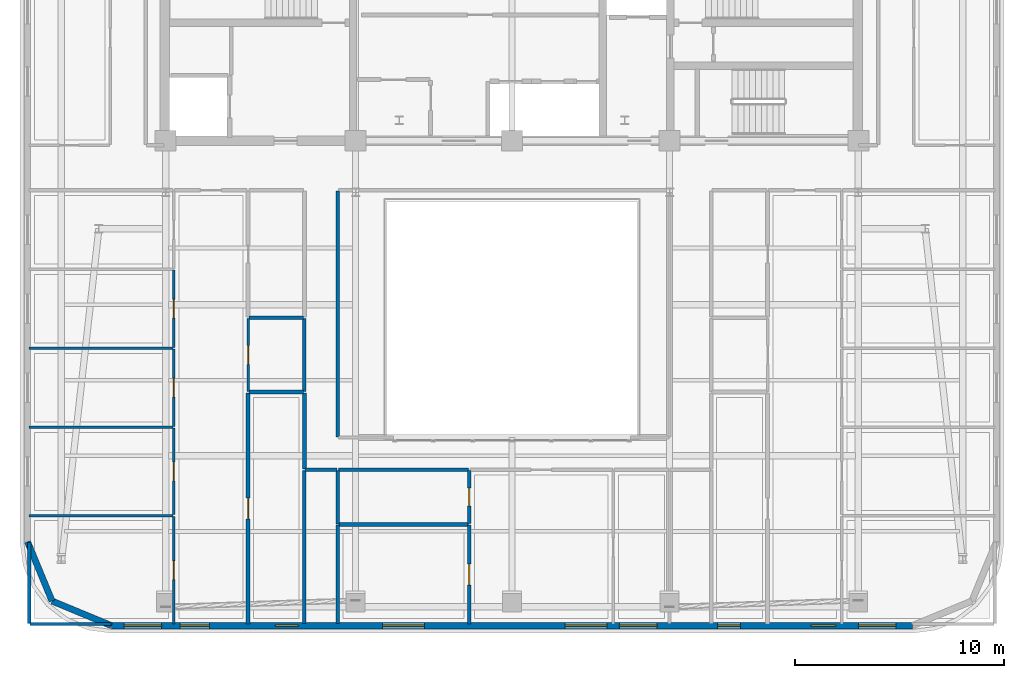
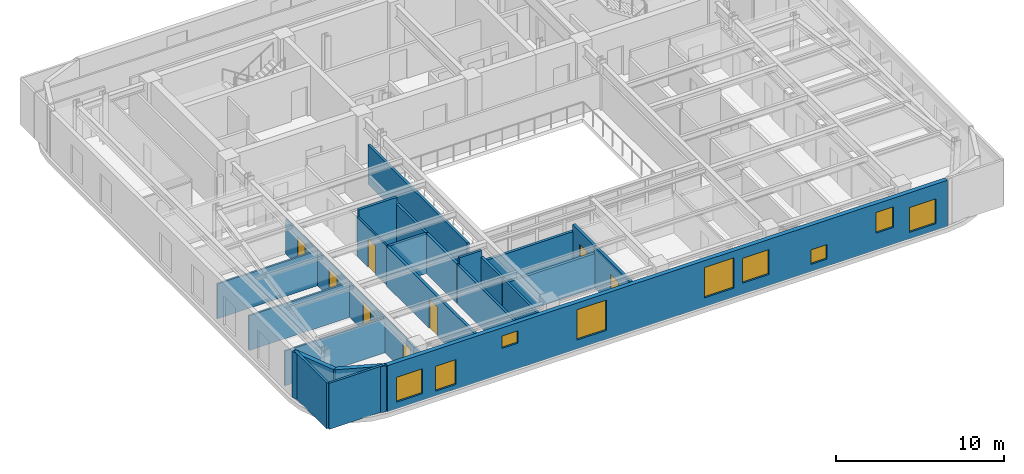
# One storey, part 6 of 14: 27 walls, 9 windows, 8 doors, 17 openings.
"""IFC4 building model written with IfcOpenShell, lengths in metres."""

from ifc_helpers import new_model, si_unit, direction, frame, frame_2d, origin, place, context, subcontext, project, spatial, rectangle, extrude, material, layer, layer_set, type_object, element, fill, save


model = new_model("IFC4")

# Units and contexts
model_context = context("Model", 3, precision=1e-05, world=origin(), true_north=direction((0.0, 1.0)))
body_context = subcontext(model_context, "Body", "Model", "MODEL_VIEW")
ifc_project = project(units=[si_unit("LENGTHUNIT", "METRE"), si_unit("AREAUNIT", "SQUARE_METRE"), si_unit("VOLUMEUNIT", "CUBIC_METRE"), si_unit("PLANEANGLEUNIT", "RADIAN"), si_unit("MASSUNIT", "GRAM", prefix="KILO")], contexts=[model_context])

# Site, building, storey
site_placement = place(None, origin())
site = spatial("IfcSite", under=ifc_project, at=site_placement, CompositionType="ELEMENT")
building_placement = place(site_placement, origin())
building = spatial("IfcBuilding", under=site, at=building_placement, Name="Zarnavel Station Tower", CompositionType="ELEMENT")
storey_placement = place(building_placement, frame((0.0, 0.0, 225.60009765625)))
storey = spatial("IfcBuildingStorey", under=building, at=storey_placement, Name="L61", CompositionType="ELEMENT", Elevation=225.60009765625)

# Walls
ifc_material_1 = material(Name="Precast concrete C45/55 (Dark Basalt Finish)", Category="masonry")
ifc_layer_1 = layer(ifc_material_1, 0.300048828125)
ifc_layer_set_1 = layer_set([ifc_layer_1], Name="EW_BASALT_300")
wall_type_1 = type_object("IfcWallType", Name="EW_BASALT_300", PredefinedType="SOLIDWALL", material=ifc_layer_set_1)
for number, where, z_axis, x_axis, name in (
    (1, (6.75732421875, 5.75732421875, 0.0), (0.0, 0.0, 1.0), (-0.382608747773, 0.923910464346, 0.0), "L61 Exterior Basalt Masonry Frame Wall 10"),
    (2, (9.60009765625, 4.580078125, 0.0), (0.0, 0.0, 1.0), (-0.923910464346, 0.382608747773, 0.0), "L61 Exterior Basalt Masonry Frame Wall 11"),
):
    element("IfcWall", number, at=place(storey_placement, frame(where, z_axis=z_axis, x_axis=x_axis)), inside=storey, type_object=wall_type_1, Name=name, PredefinedType="SOLIDWALL", context=body_context, shape_type="SweptSolid", body=[
        extrude(rectangle(XDim=3.076904296875, YDim=0.300048828125, at=frame_2d((1.53857421875, 0.0))), origin(), (0.0, 0.0, 1.0), 3.33984375),
    ])

# Wall, openings, windows
wall_1_placement = place(storey_placement, frame((48.0, 4.580078125, 0.0), z_axis=(0.0, 0.0, 1.0), x_axis=(-1.0, 0.0, 0.0)))
wall_1 = element("IfcWall", 3, at=wall_1_placement, inside=storey, type_object=wall_type_1, Name="L61 Exterior Basalt Masonry Frame Wall 12", PredefinedType="SOLIDWALL", context=body_context, shape_type="SweptSolid", body=[
    extrude(rectangle(XDim=38.39990234375, YDim=0.300048828125, at=frame_2d((19.199951171875, 0.0))), origin(), (0.0, 0.0, 1.0), 3.33984375),
])
opening_1_placement = place(wall_1_placement, frame((33.708984375, 0.0, 0.340087890625)))
opening_1 = element("IfcOpeningElement", 4, at=opening_1_placement, cuts=wall_1, Name="Opening WN01", PredefinedType="OPENING", context=body_context, shape_type="SweptSolid", body=[
    extrude(rectangle(XDim=1.39990234375, YDim=1.800048828125, at=frame_2d((0.699951171875, 0.89990234375))), frame((0.0, 0.159912109375, 0.0), z_axis=(0.0, -1.0, 0.0), x_axis=(1.0, 0.0, 0.0)), (0.0, 0.0, 1.0), 0.320068359375),
])
opening_2_placement = place(wall_1_placement, frame((29.449951171875, 0.0, 1.85009765625)))
opening_2 = element("IfcOpeningElement", 5, at=opening_2_placement, cuts=wall_1, Name="Opening WN10", PredefinedType="OPENING", context=body_context, shape_type="SweptSolid", body=[
    extrude(rectangle(XDim=1.10009765625, YDim=0.89990234375, at=frame_2d((0.550048828125, 0.449951171875))), frame((0.0, 0.159912109375, 0.0), z_axis=(0.0, -1.0, 0.0), x_axis=(1.0, 0.0, 0.0)), (0.0, 0.0, 1.0), 0.320068359375),
])
opening_3_placement = place(wall_1_placement, frame((35.994384765625, 0.0, 0.47998046875)))
opening_3 = element("IfcOpeningElement", 6, at=opening_3_placement, cuts=wall_1, Name="Opening WN02", PredefinedType="OPENING", context=body_context, shape_type="SweptSolid", body=[
    extrude(rectangle(XDim=1.800048828125, YDim=1.800048828125, at=frame_2d((0.89990234375, 0.89990234375))), frame((0.0, 0.159912109375, 0.0), z_axis=(0.0, -1.0, 0.0), x_axis=(1.0, 0.0, 0.0)), (0.0, 0.0, 1.0), 0.320068359375),
])
opening_4_placement = place(wall_1_placement, frame((14.64990234375, 0.0, 0.64990234375)))
opening_4 = element("IfcOpeningElement", 7, at=opening_4_placement, cuts=wall_1, Name="Opening WN07", PredefinedType="OPENING", context=body_context, shape_type="SweptSolid", body=[
    extrude(rectangle(XDim=2.0, YDim=2.199951171875, at=frame_2d((1.0, 1.10009765625))), frame((0.0, 0.159912109375, 0.0), z_axis=(0.0, -1.0, 0.0), x_axis=(1.0, 0.0, 0.0)), (0.0, 0.0, 1.0), 0.320068359375),
])
opening_5_placement = place(wall_1_placement, frame((23.39990234375, 0.0, 0.64990234375)))
opening_5 = element("IfcOpeningElement", 8, at=opening_5_placement, cuts=wall_1, Name="Opening WN07", PredefinedType="OPENING", context=body_context, shape_type="SweptSolid", body=[
    extrude(rectangle(XDim=2.0, YDim=2.199951171875, at=frame_2d((1.0, 1.10009765625))), frame((0.0, 0.159912109375, 0.0), z_axis=(0.0, -1.0, 0.0), x_axis=(1.0, 0.0, 0.0)), (0.0, 0.0, 1.0), 0.320068359375),
])
opening_6_placement = place(wall_1_placement, frame((12.25, 0.0, 0.800048828125)))
opening_6 = element("IfcOpeningElement", 9, at=opening_6_placement, cuts=wall_1, Name="Opening WN02", PredefinedType="OPENING", context=body_context, shape_type="SweptSolid", body=[
    extrude(rectangle(XDim=1.800048828125, YDim=1.800048828125, at=frame_2d((0.89990234375, 0.89990234375))), frame((0.0, 0.159912109375, 0.0), z_axis=(0.0, -1.0, 0.0), x_axis=(1.0, 0.0, 0.0)), (0.0, 0.0, 1.0), 0.320068359375),
])
opening_7_placement = place(wall_1_placement, frame((3.69091796875, 0.0, 1.219970703125)))
opening_7 = element("IfcOpeningElement", 10, at=opening_7_placement, cuts=wall_1, Name="Opening WN08", PredefinedType="OPENING", context=body_context, shape_type="SweptSolid", body=[
    extrude(rectangle(XDim=1.199951171875, YDim=1.5, at=frame_2d((0.60009765625, 0.75))), frame((0.0, 0.159912109375, 0.0), z_axis=(0.0, -1.0, 0.0), x_axis=(1.0, 0.0, 0.0)), (0.0, 0.0, 1.0), 0.320068359375),
])
opening_8_placement = place(wall_1_placement, frame((8.25, 0.0, 0.52001953125)))
opening_8 = element("IfcOpeningElement", 11, at=opening_8_placement, cuts=wall_1, Name="Opening WN09", PredefinedType="OPENING", context=body_context, shape_type="SweptSolid", body=[
    extrude(rectangle(XDim=1.10009765625, YDim=1.050048828125, at=frame_2d((0.550048828125, 0.52490234375))), frame((0.0, 0.159912109375, 0.0), z_axis=(0.0, -1.0, 0.0), x_axis=(1.0, 0.0, 0.0)), (0.0, 0.0, 1.0), 0.320068359375),
])
opening_9_placement = place(wall_1_placement, frame((0.805419921875, 0.0, 0.47998046875)))
opening_9 = element("IfcOpeningElement", 12, at=opening_9_placement, cuts=wall_1, Name="Opening WN02", PredefinedType="OPENING", context=body_context, shape_type="SweptSolid", body=[
    extrude(rectangle(XDim=1.800048828125, YDim=1.800048828125, at=frame_2d((0.89990234375, 0.89990234375))), frame((0.0, 0.159912109375, 0.0), z_axis=(0.0, -1.0, 0.0), x_axis=(1.0, 0.0, 0.0)), (0.0, 0.0, 1.0), 0.320068359375),
])
ifc_material_2 = material(Name="Thermally Broken Black Aluminium and Low-E Dark Glass", Category="aluminium")
window_type_1 = type_object("IfcWindowType", Name="WN_1100x0900", PartitioningType="SINGLE_PANEL", PredefinedType="WINDOW", material=ifc_material_2)
window_1_placement = place(opening_2_placement, origin())
window_1 = element("IfcWindow", 13, at=window_1_placement, inside=storey, type_object=window_type_1, Name="L61 Recessed Facade Window 02", OverallHeight=0.89990234375, OverallWidth=1.10009765625, PartitioningType="SINGLE_PANEL", PredefinedType="WINDOW", context=body_context, shape_type="SweptSolid", body=[
    extrude(rectangle(XDim=1.10009765625, YDim=0.89990234375, at=frame_2d((0.550048828125, 0.449951171875))), frame((0.0, 0.030029296875, 0.0), z_axis=(0.0, -1.0, 0.0), x_axis=(1.0, 0.0, 0.0)), (0.0, 0.0, 1.0), 0.06005859375),
])
fill(opening_2, window_1)
ifc_material_3 = material(Name="Thermally Broken Black Aluminium and Low-E Dark Glass", Category="aluminium")
window_type_2 = type_object("IfcWindowType", Name="WN_1100x1050", PartitioningType="SINGLE_PANEL", PredefinedType="WINDOW", material=ifc_material_3)
window_2_placement = place(opening_8_placement, origin())
window_2 = element("IfcWindow", 14, at=window_2_placement, inside=storey, type_object=window_type_2, Name="L61 Recessed Facade Window 08", OverallHeight=1.050048828125, OverallWidth=1.10009765625, PartitioningType="SINGLE_PANEL", PredefinedType="WINDOW", context=body_context, shape_type="SweptSolid", body=[
    extrude(rectangle(XDim=1.10009765625, YDim=1.050048828125, at=frame_2d((0.550048828125, 0.52490234375))), frame((0.0, 0.030029296875, 0.0), z_axis=(0.0, -1.0, 0.0), x_axis=(1.0, 0.0, 0.0)), (0.0, 0.0, 1.0), 0.06005859375),
])
fill(opening_8, window_2)
ifc_material_4 = material(Name="Thermally Broken Black Aluminium and Low-E Dark Glass", Category="aluminium")
window_type_3 = type_object("IfcWindowType", Name="WN_1200x1500", PartitioningType="SINGLE_PANEL", PredefinedType="WINDOW", material=ifc_material_4)
window_3_placement = place(opening_7_placement, origin())
window_3 = element("IfcWindow", 15, at=window_3_placement, inside=storey, type_object=window_type_3, Name="L61 Recessed Facade Window 07", OverallHeight=1.5, OverallWidth=1.199951171875, PartitioningType="SINGLE_PANEL", PredefinedType="WINDOW", context=body_context, shape_type="SweptSolid", body=[
    extrude(rectangle(XDim=1.199951171875, YDim=1.5, at=frame_2d((0.60009765625, 0.75))), frame((0.0, 0.030029296875, 0.0), z_axis=(0.0, -1.0, 0.0), x_axis=(1.0, 0.0, 0.0)), (0.0, 0.0, 1.0), 0.06005859375),
])
fill(opening_7, window_3)
ifc_material_5 = material(Name="Thermally Broken Black Aluminium and Low-E Dark Glass", Category="aluminium")
window_type_4 = type_object("IfcWindowType", Name="WN_1400x1800", PartitioningType="DOUBLE_PANEL_VERTICAL", PredefinedType="WINDOW", material=ifc_material_5)
window_4_placement = place(opening_1_placement, origin())
window_4 = element("IfcWindow", 16, at=window_4_placement, inside=storey, type_object=window_type_4, Name="L61 Recessed Facade Window 01", OverallHeight=1.800048828125, OverallWidth=1.39990234375, PartitioningType="SINGLE_PANEL", PredefinedType="WINDOW", context=body_context, shape_type="SweptSolid", body=[
    extrude(rectangle(XDim=1.39990234375, YDim=1.800048828125, at=frame_2d((0.699951171875, 0.89990234375))), frame((0.0, 0.030029296875, 0.0), z_axis=(0.0, -1.0, 0.0), x_axis=(1.0, 0.0, 0.0)), (0.0, 0.0, 1.0), 0.06005859375),
])
fill(opening_1, window_4)
ifc_material_6 = material(Name="Thermally Broken Black Aluminium and Low-E Dark Glass", Category="aluminium")
window_type_5 = type_object("IfcWindowType", Name="WN_1800x1800", PartitioningType="DOUBLE_PANEL_VERTICAL", PredefinedType="WINDOW", material=ifc_material_6)
window_5_placement = place(opening_3_placement, origin())
window_5 = element("IfcWindow", 17, at=window_5_placement, inside=storey, type_object=window_type_5, Name="L61 Recessed Facade Window 03", OverallHeight=1.800048828125, OverallWidth=1.800048828125, PartitioningType="SINGLE_PANEL", PredefinedType="WINDOW", context=body_context, shape_type="SweptSolid", body=[
    extrude(rectangle(XDim=1.800048828125, YDim=1.800048828125, at=frame_2d((0.89990234375, 0.89990234375))), frame((0.0, 0.030029296875, 0.0), z_axis=(0.0, -1.0, 0.0), x_axis=(1.0, 0.0, 0.0)), (0.0, 0.0, 1.0), 0.06005859375),
])
fill(opening_3, window_5)
window_6_placement = place(opening_6_placement, origin())
window_6 = element("IfcWindow", 18, at=window_6_placement, inside=storey, type_object=window_type_5, Name="L61 Recessed Facade Window 06", OverallHeight=1.800048828125, OverallWidth=1.800048828125, PartitioningType="SINGLE_PANEL", PredefinedType="WINDOW", context=body_context, shape_type="SweptSolid", body=[
    extrude(rectangle(XDim=1.800048828125, YDim=1.800048828125, at=frame_2d((0.89990234375, 0.89990234375))), frame((0.0, 0.030029296875, 0.0), z_axis=(0.0, -1.0, 0.0), x_axis=(1.0, 0.0, 0.0)), (0.0, 0.0, 1.0), 0.06005859375),
])
fill(opening_6, window_6)
window_7_placement = place(opening_9_placement, origin())
window_7 = element("IfcWindow", 19, at=window_7_placement, inside=storey, type_object=window_type_5, Name="L61 Recessed Facade Window 09", OverallHeight=1.800048828125, OverallWidth=1.800048828125, PartitioningType="SINGLE_PANEL", PredefinedType="WINDOW", context=body_context, shape_type="SweptSolid", body=[
    extrude(rectangle(XDim=1.800048828125, YDim=1.800048828125, at=frame_2d((0.89990234375, 0.89990234375))), frame((0.0, 0.030029296875, 0.0), z_axis=(0.0, -1.0, 0.0), x_axis=(1.0, 0.0, 0.0)), (0.0, 0.0, 1.0), 0.06005859375),
])
fill(opening_9, window_7)
ifc_material_7 = material(Name="Thermally Broken Black Aluminium and Low-E Dark Glass", Category="aluminium")
window_type_6 = type_object("IfcWindowType", Name="WN_2000x2200", PartitioningType="TRIPLE_PANEL_VERTICAL", PredefinedType="WINDOW", material=ifc_material_7)
window_8_placement = place(opening_4_placement, origin())
window_8 = element("IfcWindow", 20, at=window_8_placement, inside=storey, type_object=window_type_6, Name="L61 Recessed Facade Window 04", OverallHeight=2.199951171875, OverallWidth=2.0, PartitioningType="SINGLE_PANEL", PredefinedType="WINDOW", context=body_context, shape_type="SweptSolid", body=[
    extrude(rectangle(XDim=2.0, YDim=2.199951171875, at=frame_2d((1.0, 1.10009765625))), frame((0.0, 0.030029296875, 0.0), z_axis=(0.0, -1.0, 0.0), x_axis=(1.0, 0.0, 0.0)), (0.0, 0.0, 1.0), 0.06005859375),
])
fill(opening_4, window_8)
window_9_placement = place(opening_5_placement, origin())
window_9 = element("IfcWindow", 21, at=window_9_placement, inside=storey, type_object=window_type_6, Name="L61 Recessed Facade Window 05", OverallHeight=2.199951171875, OverallWidth=2.0, PartitioningType="SINGLE_PANEL", PredefinedType="WINDOW", context=body_context, shape_type="SweptSolid", body=[
    extrude(rectangle(XDim=2.0, YDim=2.199951171875, at=frame_2d((1.0, 1.10009765625))), frame((0.0, 0.030029296875, 0.0), z_axis=(0.0, -1.0, 0.0), x_axis=(1.0, 0.0, 0.0)), (0.0, 0.0, 1.0), 0.06005859375),
])
fill(opening_5, window_9)

# Walls
ifc_material_8 = material(Name="Gypsum Twin-Stud Acoustic Fire Partition", Category="concrete")
ifc_layer_2 = layer(ifc_material_8, 0.159912109375)
ifc_layer_set_2 = layer_set([ifc_layer_2], Name="PT_DEMISE_160")
wall_type_2 = type_object("IfcWallType", Name="PT_DEMISE_160", PredefinedType="PARTITIONING", material=ifc_layer_set_2)
wall_2_placement = place(storey_placement, frame((18.85009765625, 15.81103515625, 0.0), z_axis=(0.0, 0.0, 1.0), x_axis=(0.0, 1.0, 0.0)))
element("IfcWall", 22, at=wall_2_placement, inside=storey, type_object=wall_type_2, Name="L61 Partition COR-AW-UW1UT", PredefinedType="PARTITIONING", context=body_context, shape_type="SweptSolid", body=[
    extrude(rectangle(XDim=3.488037109375, YDim=0.159912109375, at=frame_2d((1.744140625, 0.0))), origin(), (0.0, 0.0, 1.0), 2.869873046875),
])
wall_3_placement = place(storey_placement, frame((18.8798828125, 12.050048828125, 0.0), z_axis=(0.0, 0.0, 1.0), x_axis=(1.0, 0.0, 0.0)))
element("IfcWall", 23, at=wall_3_placement, inside=storey, type_object=wall_type_2, Name="L61 Enclosure Wall COR-AW", PredefinedType="PARTITIONING", context=body_context, shape_type="SweptSolid", body=[
    extrude(rectangle(XDim=1.5400390625, YDim=0.159912109375, at=frame_2d((0.77001953125, 0.0))), origin(), (0.0, 0.0, 1.0), 3.33984375),
])
wall_4_placement = place(storey_placement, frame((20.449951171875, 13.6298828125, 0.0), z_axis=(0.0, 0.0, 1.0), x_axis=(0.0, 1.0, 0.0)))
element("IfcWall", 24, at=wall_4_placement, inside=storey, type_object=wall_type_2, Name="L61 Enclosure Wall COR-AW", PredefinedType="PARTITIONING", context=body_context, shape_type="SweptSolid", body=[
    extrude(rectangle(XDim=11.7900390625, YDim=0.159912109375, at=frame_2d((5.89501953125, 0.0))), origin(), (0.0, 0.0, 1.0), 2.869873046875),
])
wall_5_placement = place(storey_placement, frame((18.85009765625, 4.68994140625, 0.0), z_axis=(0.0, 0.0, 1.0), x_axis=(0.0, 1.0, 0.0)))
element("IfcWall", 25, at=wall_5_placement, inside=storey, type_object=wall_type_2, Name="L61 Enclosure Wall UW1KT", PredefinedType="PARTITIONING", context=body_context, shape_type="SweptSolid", body=[
    extrude(rectangle(XDim=7.330078125, YDim=0.159912109375, at=frame_2d((3.6650390625, 0.0))), origin(), (0.0, 0.0, 1.0), 2.869873046875),
])
for number, where, z_axis, x_axis, name in (
    (26, (5.68994140625, 4.659912109375, 0.0), (0.0, 0.0, 1.0), (1.0, 0.0, 0.0), "L61 Enclosure Wall UW1B1"),
    (27, (5.659912109375, 4.68994140625, 0.0), (0.0, 0.0, 1.0), (0.0, 1.0, 0.0), "L61 Enclosure Wall UW1B1"),
):
    element("IfcWall", number, at=place(storey_placement, frame(where, z_axis=z_axis, x_axis=x_axis)), inside=storey, type_object=wall_type_2, Name=name, PredefinedType="PARTITIONING", context=body_context, shape_type="SweptSolid", body=[
        extrude(rectangle(XDim=3.880126953125, YDim=0.159912109375, at=frame_2d((1.93994140625, 0.0))), origin(), (0.0, 0.0, 1.0), 3.33984375),
    ])
wall_6_placement = place(storey_placement, frame((20.449951171875, 4.68994140625, 0.0), z_axis=(0.0, 0.0, 1.0), x_axis=(0.0, 1.0, 0.0)))
element("IfcWall", 28, at=wall_6_placement, inside=storey, type_object=wall_type_2, Name="L61 Enclosure Wall US1KT", PredefinedType="PARTITIONING", context=body_context, shape_type="SweptSolid", body=[
    extrude(rectangle(XDim=4.7109375, YDim=0.159912109375, at=frame_2d((2.35546875, 0.0))), origin(), (0.0, 0.0, 1.0), 2.869873046875),
])
wall_7_placement = place(storey_placement, frame((20.449951171875, 9.4609375, 0.0), z_axis=(0.0, 0.0, 1.0), x_axis=(0.0, 1.0, 0.0)))
element("IfcWall", 29, at=wall_7_placement, inside=storey, type_object=wall_type_2, Name="L61 Enclosure Wall US1BA", PredefinedType="PARTITIONING", context=body_context, shape_type="SweptSolid", body=[
    extrude(rectangle(XDim=2.55908203125, YDim=0.159912109375, at=frame_2d((1.279541015625, 0.0))), origin(), (0.0, 0.0, 1.0), 2.869873046875),
])

# Wall, opening, door
ifc_material_9 = material(Name="Gypsum Metal-Stud Interior Partition", Category="concrete")
ifc_layer_3 = layer(ifc_material_9, 0.1201171875)
ifc_layer_set_3 = layer_set([ifc_layer_3], Name="PT_ROOM_120")
wall_type_3 = type_object("IfcWallType", Name="PT_ROOM_120", PredefinedType="PARTITIONING", material=ifc_layer_set_3)
wall_8_placement = place(storey_placement, frame((16.14990234375, 15.81103515625, 0.0), z_axis=(0.0, 0.0, 1.0), x_axis=(0.0, 1.0, 0.0)))
wall_8 = element("IfcWall", 30, at=wall_8_placement, inside=storey, type_object=wall_type_3, Name="L61 Partition UW1LV-UW1UT", PredefinedType="PARTITIONING", context=body_context, shape_type="SweptSolid", body=[
    extrude(rectangle(XDim=3.488037109375, YDim=0.1201171875, at=frame_2d((1.744140625, 0.0))), origin(), (0.0, 0.0, 1.0), 2.869873046875),
])
opening_10_placement = place(wall_8_placement, frame((1.2939453125, 0.0, 0.0)))
opening_10 = element("IfcOpeningElement", 31, at=opening_10_placement, cuts=wall_8, Name="Opening ID01", PredefinedType="OPENING", context=body_context, shape_type="SweptSolid", body=[
    extrude(rectangle(XDim=0.89990234375, YDim=2.10009765625, at=frame_2d((0.449951171875, 1.050048828125))), frame((0.0, 0.070068359375, 0.0), z_axis=(0.0, -1.0, 0.0), x_axis=(1.0, 0.0, 0.0)), (0.0, 0.0, 1.0), 0.14013671875),
])
ifc_material_10 = material(Name="Painted Galvanised Steel and Hardwood Leaf", Category="steel")
door_type_1 = type_object("IfcDoorType", Name="ID_ROOM_900", OperationType="NOTDEFINED", PredefinedType="DOOR", material=ifc_material_10)
door_1_placement = place(opening_10_placement, origin())
door_1 = element("IfcDoor", 32, at=door_1_placement, inside=storey, type_object=door_type_1, Name="L61 Door UW1LV-UW1UT", OperationType="SINGLE_SWING_RIGHT", OverallHeight=2.10009765625, OverallWidth=0.89990234375, PredefinedType="DOOR", context=body_context, shape_type="SweptSolid", body=[
    extrude(rectangle(XDim=0.89990234375, YDim=2.10009765625, at=frame_2d((0.449951171875, 1.050048828125))), frame((0.0, 0.02490234375, 0.0), z_axis=(0.0, -1.0, 0.0), x_axis=(1.0, 0.0, 0.0)), (0.0, 0.0, 1.0), 0.050048828125),
])
fill(opening_10, door_1)

wall_9_placement = place(storey_placement, frame((12.591064453125, 4.659912109375, 0.0), z_axis=(0.0, 0.0, 1.0), x_axis=(0.0, 1.0, 0.0)))
wall_9 = element("IfcWall", 33, at=wall_9_placement, inside=storey, type_object=wall_type_3, Name="L61 Partition UW1LV-UW1B1", PredefinedType="PARTITIONING", context=body_context, shape_type="SweptSolid", body=[
    extrude(rectangle(XDim=5.156982421875, YDim=0.1201171875, at=frame_2d((2.57861328125, 0.0))), origin(), (0.0, 0.0, 1.0), 2.52001953125),
])
opening_11_placement = place(wall_9_placement, frame((2.12841796875, 0.0, 0.0)))
opening_11 = element("IfcOpeningElement", 34, at=opening_11_placement, cuts=wall_9, Name="Opening ID01", PredefinedType="OPENING", context=body_context, shape_type="SweptSolid", body=[
    extrude(rectangle(XDim=0.89990234375, YDim=2.10009765625, at=frame_2d((0.449951171875, 1.050048828125))), frame((0.0, 0.070068359375, 0.0), z_axis=(0.0, -1.0, 0.0), x_axis=(1.0, 0.0, 0.0)), (0.0, 0.0, 1.0), 0.14013671875),
])
door_2_placement = place(opening_11_placement, origin())
door_2 = element("IfcDoor", 35, at=door_2_placement, inside=storey, type_object=door_type_1, Name="L61 Door UW1LV-UW1B1", OperationType="SINGLE_SWING_RIGHT", OverallHeight=2.10009765625, OverallWidth=0.89990234375, PredefinedType="DOOR", context=body_context, shape_type="SweptSolid", body=[
    extrude(rectangle(XDim=0.89990234375, YDim=2.10009765625, at=frame_2d((0.449951171875, 1.050048828125))), frame((0.0, 0.02490234375, 0.0), z_axis=(0.0, -1.0, 0.0), x_axis=(1.0, 0.0, 0.0)), (0.0, 0.0, 1.0), 0.050048828125),
])
fill(opening_11, door_2)

wall_10_placement = place(storey_placement, frame((12.591064453125, 9.89697265625, 0.0), z_axis=(0.0, 0.0, 1.0), x_axis=(0.0, 1.0, 0.0)))
wall_10 = element("IfcWall", 36, at=wall_10_placement, inside=storey, type_object=wall_type_3, Name="L61 Partition UW1LV-UW1B2", PredefinedType="PARTITIONING", context=body_context, shape_type="SweptSolid", body=[
    extrude(rectangle(XDim=4.14794921875, YDim=0.1201171875, at=frame_2d((2.073974609375, 0.0))), origin(), (0.0, 0.0, 1.0), 2.52001953125),
])
opening_12_placement = place(wall_10_placement, frame((1.6240234375, 0.0, 0.0)))
opening_12 = element("IfcOpeningElement", 37, at=opening_12_placement, cuts=wall_10, Name="Opening ID01", PredefinedType="OPENING", context=body_context, shape_type="SweptSolid", body=[
    extrude(rectangle(XDim=0.89990234375, YDim=2.10009765625, at=frame_2d((0.449951171875, 1.050048828125))), frame((0.0, 0.070068359375, 0.0), z_axis=(0.0, -1.0, 0.0), x_axis=(1.0, 0.0, 0.0)), (0.0, 0.0, 1.0), 0.14013671875),
])
door_3_placement = place(opening_12_placement, origin())
door_3 = element("IfcDoor", 38, at=door_3_placement, inside=storey, type_object=door_type_1, Name="L61 Door UW1LV-UW1B2", OperationType="SINGLE_SWING_LEFT", OverallHeight=2.10009765625, OverallWidth=0.89990234375, PredefinedType="DOOR", context=body_context, shape_type="SweptSolid", body=[
    extrude(rectangle(XDim=0.89990234375, YDim=2.10009765625, at=frame_2d((0.449951171875, 1.050048828125))), frame((0.0, 0.02490234375, 0.0), z_axis=(0.0, -1.0, 0.0), x_axis=(1.0, 0.0, 0.0)), (0.0, 0.0, 1.0), 0.050048828125),
])
fill(opening_12, door_3)

wall_11_placement = place(storey_placement, frame((12.591064453125, 14.125, 0.0), z_axis=(0.0, 0.0, 1.0), x_axis=(0.0, 1.0, 0.0)))
wall_11 = element("IfcWall", 39, at=wall_11_placement, inside=storey, type_object=wall_type_3, Name="L61 Partition UW1LV-UW1B3", PredefinedType="PARTITIONING", context=body_context, shape_type="SweptSolid", body=[
    extrude(rectangle(XDim=3.7080078125, YDim=0.1201171875, at=frame_2d((1.85400390625, 0.0))), origin(), (0.0, 0.0, 1.0), 2.52001953125),
])
opening_13_placement = place(wall_11_placement, frame((1.404052734375, 0.0, 0.0)))
opening_13 = element("IfcOpeningElement", 40, at=opening_13_placement, cuts=wall_11, Name="Opening ID01", PredefinedType="OPENING", context=body_context, shape_type="SweptSolid", body=[
    extrude(rectangle(XDim=0.89990234375, YDim=2.10009765625, at=frame_2d((0.449951171875, 1.050048828125))), frame((0.0, 0.070068359375, 0.0), z_axis=(0.0, -1.0, 0.0), x_axis=(1.0, 0.0, 0.0)), (0.0, 0.0, 1.0), 0.14013671875),
])
door_4_placement = place(opening_13_placement, origin())
door_4 = element("IfcDoor", 41, at=door_4_placement, inside=storey, type_object=door_type_1, Name="L61 Door UW1LV-UW1B3", OperationType="SINGLE_SWING_RIGHT", OverallHeight=2.10009765625, OverallWidth=0.89990234375, PredefinedType="DOOR", context=body_context, shape_type="SweptSolid", body=[
    extrude(rectangle(XDim=0.89990234375, YDim=2.10009765625, at=frame_2d((0.449951171875, 1.050048828125))), frame((0.0, 0.02490234375, 0.0), z_axis=(0.0, -1.0, 0.0), x_axis=(1.0, 0.0, 0.0)), (0.0, 0.0, 1.0), 0.050048828125),
])
fill(opening_13, door_4)

wall_12_placement = place(storey_placement, frame((12.591064453125, 17.9130859375, 0.0), z_axis=(0.0, 0.0, 1.0), x_axis=(0.0, 1.0, 0.0)))
wall_12 = element("IfcWall", 42, at=wall_12_placement, inside=storey, type_object=wall_type_3, Name="L61 Partition UW1LV-UW1B4", PredefinedType="PARTITIONING", context=body_context, shape_type="SweptSolid", body=[
    extrude(rectangle(XDim=3.7080078125, YDim=0.1201171875, at=frame_2d((1.85400390625, 0.0))), origin(), (0.0, 0.0, 1.0), 2.52001953125),
])
opening_14_placement = place(wall_12_placement, frame((1.404052734375, 0.0, 0.0)))
opening_14 = element("IfcOpeningElement", 43, at=opening_14_placement, cuts=wall_12, Name="Opening ID01", PredefinedType="OPENING", context=body_context, shape_type="SweptSolid", body=[
    extrude(rectangle(XDim=0.89990234375, YDim=2.10009765625, at=frame_2d((0.449951171875, 1.050048828125))), frame((0.0, 0.070068359375, 0.0), z_axis=(0.0, -1.0, 0.0), x_axis=(1.0, 0.0, 0.0)), (0.0, 0.0, 1.0), 0.14013671875),
])
door_5_placement = place(opening_14_placement, origin())
door_5 = element("IfcDoor", 44, at=door_5_placement, inside=storey, type_object=door_type_1, Name="L61 Door UW1LV-UW1B4", OperationType="SINGLE_SWING_LEFT", OverallHeight=2.10009765625, OverallWidth=0.89990234375, PredefinedType="DOOR", context=body_context, shape_type="SweptSolid", body=[
    extrude(rectangle(XDim=0.89990234375, YDim=2.10009765625, at=frame_2d((0.449951171875, 1.050048828125))), frame((0.0, 0.02490234375, 0.0), z_axis=(0.0, -1.0, 0.0), x_axis=(1.0, 0.0, 0.0)), (0.0, 0.0, 1.0), 0.050048828125),
])
fill(opening_14, door_5)

# Walls
for number, where, z_axis, x_axis, name in (
    (45, (5.659912109375, 9.85693359375, 0.0), (0.0, 0.0, 1.0), (1.0, 0.0, 0.0), "L61 Partition UW1B1-UW1B2"),
    (46, (5.659912109375, 14.0849609375, 0.0), (0.0, 0.0, 1.0), (1.0, 0.0, 0.0), "L61 Partition UW1B2-UW1B3"),
    (47, (5.659912109375, 17.873046875, 0.0), (0.0, 0.0, 1.0), (1.0, 0.0, 0.0), "L61 Partition UW1B3-UW1B4"),
):
    element("IfcWall", number, at=place(storey_placement, frame(where, z_axis=z_axis, x_axis=x_axis)), inside=storey, type_object=wall_type_3, Name=name, PredefinedType="PARTITIONING", context=body_context, shape_type="SweptSolid", body=[
        extrude(rectangle(XDim=6.89111328125, YDim=0.1201171875, at=frame_2d((3.445556640625, 0.0))), origin(), (0.0, 0.0, 1.0), 2.52001953125),
    ])
ifc_material_11 = material(Name="Moisture-Resistant Plumbing Chase Wall", Category="concrete")
ifc_layer_4 = layer(ifc_material_11, 0.179931640625)
ifc_layer_set_4 = layer_set([ifc_layer_4], Name="PW_PLUMB_180")
wall_type_4 = type_object("IfcWallType", Name="PW_PLUMB_180", PredefinedType="PLUMBINGWALL", material=ifc_layer_set_4)
wall_13_placement = place(storey_placement, frame((18.85009765625, 12.090087890625, 0.0), z_axis=(0.0, 0.0, 1.0), x_axis=(0.0, 1.0, 0.0)))
element("IfcWall", 48, at=wall_13_placement, inside=storey, type_object=wall_type_4, Name="L61 Partition COR-AW-UW1KT", PredefinedType="PLUMBINGWALL", context=body_context, shape_type="SweptSolid", body=[
    extrude(rectangle(XDim=3.640869140625, YDim=0.179931640625, at=frame_2d((1.8203125, 0.0))), origin(), (0.0, 0.0, 1.0), 2.8798828125),
])
wall_14_placement = place(storey_placement, frame((20.489990234375, 12.050048828125, 0.0), z_axis=(0.0, 0.0, 1.0), x_axis=(1.0, 0.0, 0.0)))
element("IfcWall", 49, at=wall_14_placement, inside=storey, type_object=wall_type_4, Name="L61 Partition COR-AS-US1BA", PredefinedType="PLUMBINGWALL", context=body_context, shape_type="SweptSolid", body=[
    extrude(rectangle(XDim=6.219970703125, YDim=0.179931640625, at=frame_2d((3.10986328125, 0.0))), origin(), (0.0, 0.0, 1.0), 2.52001953125),
])

# Wall, opening, door
wall_15_placement = place(storey_placement, frame((16.14990234375, 4.659912109375, 0.0), z_axis=(0.0, 0.0, 1.0), x_axis=(0.0, 1.0, 0.0)))
wall_15 = element("IfcWall", 50, at=wall_15_placement, inside=storey, type_object=wall_type_4, Name="L61 Partition UW1LV-UW1KT", PredefinedType="PLUMBINGWALL", context=body_context, shape_type="SweptSolid", body=[
    extrude(rectangle(XDim=11.071044921875, YDim=0.179931640625, at=frame_2d((5.53564453125, 0.0))), origin(), (0.0, 0.0, 1.0), 2.869873046875),
])
opening_15_placement = place(wall_15_placement, frame((5.035400390625, 0.0, 0.0)))
opening_15 = element("IfcOpeningElement", 51, at=opening_15_placement, cuts=wall_15, Name="Opening FD02", PredefinedType="OPENING", context=body_context, shape_type="SweptSolid", body=[
    extrude(rectangle(XDim=1.0, YDim=2.14990234375, at=frame_2d((0.5, 1.074951171875))), frame((0.0, 0.099853515625, 0.0), z_axis=(0.0, -1.0, 0.0), x_axis=(1.0, 0.0, 0.0)), (0.0, 0.0, 1.0), 0.199951171875),
])
ifc_material_12 = material(Name="Painted Galvanised Steel and Hardwood Leaf", Category="steel")
door_type_2 = type_object("IfcDoorType", Name="ID_ENTRY_1000", OperationType="NOTDEFINED", PredefinedType="DOOR", material=ifc_material_12)
door_6_placement = place(opening_15_placement, origin())
door_6 = element("IfcDoor", 52, at=door_6_placement, inside=storey, type_object=door_type_2, Name="L61 Door UW1LV-UW1KT", OperationType="SINGLE_SWING_LEFT", OverallHeight=2.14990234375, OverallWidth=1.0, PredefinedType="DOOR", context=body_context, shape_type="SweptSolid", body=[
    extrude(rectangle(XDim=1.0, YDim=2.14990234375, at=frame_2d((0.5, 1.074951171875))), frame((0.0, 0.02490234375, 0.0), z_axis=(0.0, -1.0, 0.0), x_axis=(1.0, 0.0, 0.0)), (0.0, 0.0, 1.0), 0.050048828125),
])
fill(opening_15, door_6)

# Walls
wall_16_placement = place(storey_placement, frame((16.18994140625, 15.77099609375, 0.0), z_axis=(0.0, 0.0, 1.0), x_axis=(1.0, 0.0, 0.0)))
element("IfcWall", 53, at=wall_16_placement, inside=storey, type_object=wall_type_4, Name="L61 Partition UW1KT-UW1UT", PredefinedType="PLUMBINGWALL", context=body_context, shape_type="SweptSolid", body=[
    extrude(rectangle(XDim=2.6201171875, YDim=0.179931640625, at=frame_2d((1.31005859375, 0.0))), origin(), (0.0, 0.0, 1.0), 2.869873046875),
])
wall_17_placement = place(storey_placement, frame((16.18994140625, 19.339111328125, 0.0), z_axis=(0.0, 0.0, 1.0), x_axis=(1.0, 0.0, 0.0)))
element("IfcWall", 54, at=wall_17_placement, inside=storey, type_object=wall_type_4, Name="L61 Partition UW1UT-UW1BA", PredefinedType="PLUMBINGWALL", context=body_context, shape_type="SweptSolid", body=[
    extrude(rectangle(XDim=2.6201171875, YDim=0.179931640625, at=frame_2d((1.31005859375, 0.0))), origin(), (0.0, 0.0, 1.0), 3.33984375),
])

# Wall, opening, door
wall_18_placement = place(storey_placement, frame((26.75, 4.659912109375, 0.0), z_axis=(0.0, 0.0, 1.0), x_axis=(0.0, 1.0, 0.0)))
wall_18 = element("IfcWall", 55, at=wall_18_placement, inside=storey, type_object=wall_type_4, Name="L61 Partition US1LV-US1KT", PredefinedType="PLUMBINGWALL", context=body_context, shape_type="SweptSolid", body=[
    extrude(rectangle(XDim=4.731201171875, YDim=0.179931640625, at=frame_2d((2.36572265625, 0.0))), origin(), (0.0, 0.0, 1.0), 3.0),
])
opening_16_placement = place(wall_18_placement, frame((1.865478515625, 0.0, 0.0)))
opening_16 = element("IfcOpeningElement", 56, at=opening_16_placement, cuts=wall_18, Name="Opening FD02", PredefinedType="OPENING", context=body_context, shape_type="SweptSolid", body=[
    extrude(rectangle(XDim=1.0, YDim=2.14990234375, at=frame_2d((0.5, 1.074951171875))), frame((0.0, 0.099853515625, 0.0), z_axis=(0.0, -1.0, 0.0), x_axis=(1.0, 0.0, 0.0)), (0.0, 0.0, 1.0), 0.199951171875),
])
door_7_placement = place(opening_16_placement, origin())
door_7 = element("IfcDoor", 57, at=door_7_placement, inside=storey, type_object=door_type_2, Name="L61 Door US1LV-US1KT", OperationType="SINGLE_SWING_LEFT", OverallHeight=2.14990234375, OverallWidth=1.0, PredefinedType="DOOR", context=body_context, shape_type="SweptSolid", body=[
    extrude(rectangle(XDim=1.0, YDim=2.14990234375, at=frame_2d((0.5, 1.074951171875))), frame((0.0, 0.02490234375, 0.0), z_axis=(0.0, -1.0, 0.0), x_axis=(1.0, 0.0, 0.0)), (0.0, 0.0, 1.0), 0.050048828125),
])
fill(opening_16, door_7)

wall_19_placement = place(storey_placement, frame((26.75, 9.470947265625, 0.0), z_axis=(0.0, 0.0, 1.0), x_axis=(0.0, 1.0, 0.0)))
wall_19 = element("IfcWall", 58, at=wall_19_placement, inside=storey, type_object=wall_type_4, Name="L61 Partition US1LV-US1BA", PredefinedType="PLUMBINGWALL", context=body_context, shape_type="SweptSolid", body=[
    extrude(rectangle(XDim=2.5390625, YDim=0.179931640625, at=frame_2d((1.26953125, 0.0))), origin(), (0.0, 0.0, 1.0), 3.02001953125),
])
opening_17_placement = place(wall_19_placement, frame((0.844482421875, 0.0, 0.0)))
opening_17 = element("IfcOpeningElement", 59, at=opening_17_placement, cuts=wall_19, Name="Opening ID02", PredefinedType="OPENING", context=body_context, shape_type="SweptSolid", body=[
    extrude(rectangle(XDim=0.85009765625, YDim=2.10009765625, at=frame_2d((0.425048828125, 1.050048828125))), frame((0.0, 0.099853515625, 0.0), z_axis=(0.0, -1.0, 0.0), x_axis=(1.0, 0.0, 0.0)), (0.0, 0.0, 1.0), 0.199951171875),
])
ifc_material_13 = material(Name="Painted Galvanised Steel and Hardwood Leaf", Category="steel")
door_type_3 = type_object("IfcDoorType", Name="ID_BATH_850", OperationType="NOTDEFINED", PredefinedType="DOOR", material=ifc_material_13)
door_8_placement = place(opening_17_placement, origin())
door_8 = element("IfcDoor", 60, at=door_8_placement, inside=storey, type_object=door_type_3, Name="L61 Door US1LV-US1BA", OperationType="SINGLE_SWING_RIGHT", OverallHeight=2.10009765625, OverallWidth=0.85009765625, PredefinedType="DOOR", context=body_context, shape_type="SweptSolid", body=[
    extrude(rectangle(XDim=0.85009765625, YDim=2.10009765625, at=frame_2d((0.425048828125, 1.050048828125))), frame((0.0, 0.02490234375, 0.0), z_axis=(0.0, -1.0, 0.0), x_axis=(1.0, 0.0, 0.0)), (0.0, 0.0, 1.0), 0.050048828125),
])
fill(opening_17, door_8)

# Wall
wall_20_placement = place(storey_placement, frame((20.489990234375, 9.430908203125, 0.0), z_axis=(0.0, 0.0, 1.0), x_axis=(1.0, 0.0, 0.0)))
element("IfcWall", 61, at=wall_20_placement, inside=storey, type_object=wall_type_4, Name="L61 Partition US1KT-US1BA", PredefinedType="PLUMBINGWALL", context=body_context, shape_type="SweptSolid", body=[
    extrude(rectangle(XDim=6.219970703125, YDim=0.179931640625, at=frame_2d((3.10986328125, 0.0))), origin(), (0.0, 0.0, 1.0), 2.52001953125),
])

save(model, "model.ifc")
